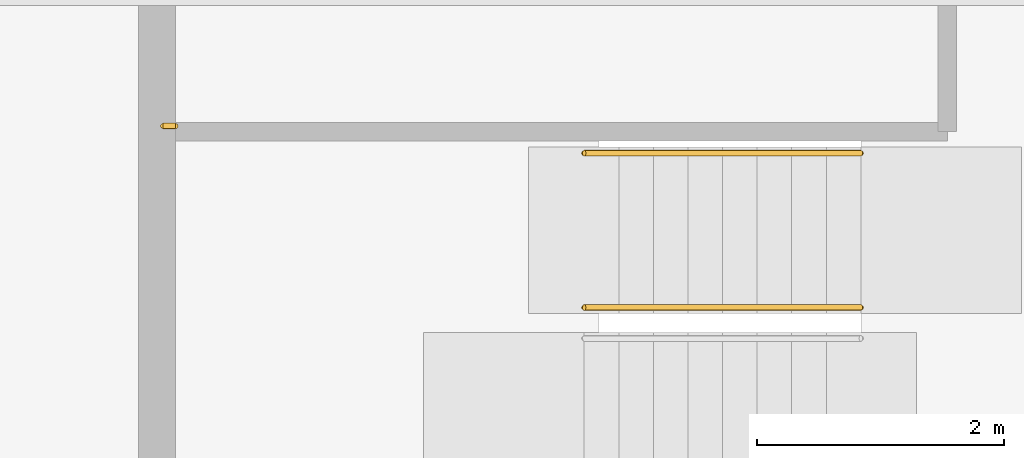
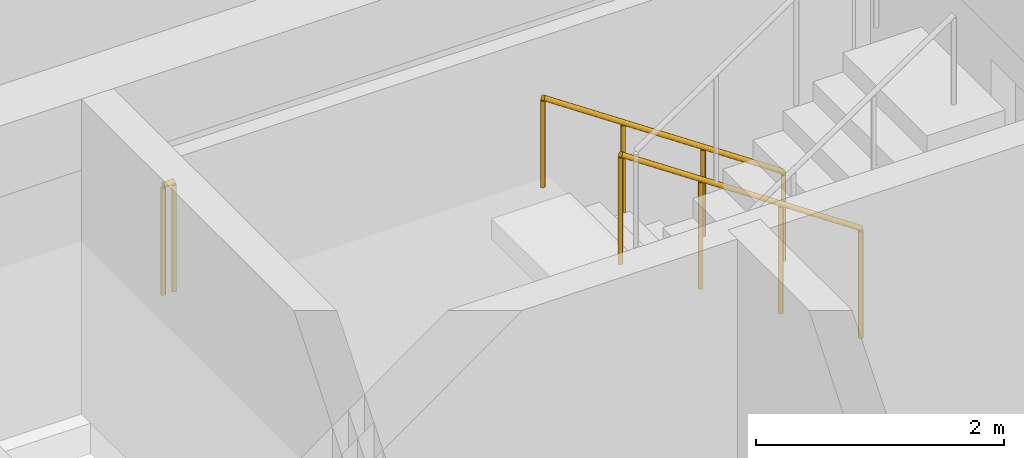
# One storey, part 12 of 13: 3 railings.
"""IFC4 building model written with IfcOpenShell, lengths in metres."""

from ifc_helpers import new_model, si_unit, direction, frame, origin, origin_2d, place, context, subcontext, project, spatial, circle, extrude, material, type_object, element, save


model = new_model("IFC4")

# Units and contexts
model_context = context("Model", 3, precision=1e-05, world=origin(), true_north=direction((0.0, 1.0)))
body_context = subcontext(model_context, "Body", "Model", "MODEL_VIEW")
ifc_project = project(units=[si_unit("LENGTHUNIT", "METRE"), si_unit("AREAUNIT", "SQUARE_METRE"), si_unit("VOLUMEUNIT", "CUBIC_METRE"), si_unit("PLANEANGLEUNIT", "RADIAN"), si_unit("MASSUNIT", "GRAM", prefix="KILO")], contexts=[model_context])

# Site, building, storey
site_placement = place(None, origin())
site = spatial("IfcSite", under=ifc_project, at=site_placement, CompositionType="ELEMENT")
building_placement = place(site_placement, origin())
building = spatial("IfcBuilding", under=site, at=building_placement, Name="Windrow Commons", CompositionType="ELEMENT")
storey_placement = place(building_placement, frame((0.0, 0.0, 223.6)))
storey = spatial("IfcBuildingStorey", under=building, at=storey_placement, Name="L61", CompositionType="ELEMENT", Elevation=223.6)

# Railings
ifc_material_1 = material(Name="Steel S355", Category="steel")
railing_type_1 = type_object("IfcRailingType", Name="Core stair guard 1100", PredefinedType="GUARDRAIL", material=ifc_material_1)
railing_1_placement = place(storey_placement, frame((70.5, 62.355, 0.1889)))
element("IfcRailing", 1, at=railing_1_placement, inside=storey, type_object=railing_type_1, Name="L61 ST-A2 stair guard 1", PredefinedType="GUARDRAIL", context=body_context, shape_type="SweptSolid", body=[
    extrude(circle(Radius=0.024, at=origin_2d()), frame((0.0, 0.0, 1.076), z_axis=(-0.8290030985, 0.0, 0.5592440099), x_axis=(0.0, -1.0, 0.0)), (0.0, 0.0, 1.0), 2.702),
    extrude(circle(Radius=0.021, at=origin_2d()), origin(), (0.0, 0.0, 1.0), 1.052),
    extrude(circle(Radius=0.021, at=origin_2d()), frame((-0.7467, 0.0, 0.5037)), (0.0, 0.0, 1.0), 1.052),
    extrude(circle(Radius=0.021, at=origin_2d()), frame((-1.4933, 0.0, 1.0074)), (0.0, 0.0, 1.0), 1.052),
    extrude(circle(Radius=0.021, at=origin_2d()), frame((-2.24, 0.0, 1.5111)), (0.0, 0.0, 1.0), 1.052),
])
railing_2_placement = place(storey_placement, frame((64.95, 63.825, 1.7)))
element("IfcRailing", 2, at=railing_2_placement, inside=storey, type_object=railing_type_1, Name="L61 ST-A2 stair guard 3", PredefinedType="GUARDRAIL", context=body_context, shape_type="SweptSolid", body=[
    extrude(circle(Radius=0.024, at=origin_2d()), frame((0.0, 0.0, 1.076), z_axis=(-1.0, 0.0, 0.0), x_axis=(0.0, -1.0, 0.0)), (0.0, 0.0, 1.0), 0.1),
    extrude(circle(Radius=0.021, at=origin_2d()), origin(), (0.0, 0.0, 1.0), 1.052),
    extrude(circle(Radius=0.021, at=origin_2d()), frame((-0.1, 0.0, 0.0)), (0.0, 0.0, 1.0), 1.052),
])
ifc_material_2 = material(Name="Steel S355", Category="steel")
railing_type_2 = type_object("IfcRailingType", Name="Core stair handrail 900", PredefinedType="HANDRAIL", material=ifc_material_2)
railing_3_placement = place(storey_placement, frame((70.5, 63.605, 0.1889)))
element("IfcRailing", 3, at=railing_3_placement, inside=storey, type_object=railing_type_2, Name="L61 ST-A2 stair handrail 1", PredefinedType="HANDRAIL", context=body_context, shape_type="SweptSolid", body=[
    extrude(circle(Radius=0.024, at=origin_2d()), frame((0.0, 0.0, 0.876), z_axis=(-0.8290030985, 0.0, 0.5592440099), x_axis=(0.0, -1.0, 0.0)), (0.0, 0.0, 1.0), 2.702),
    extrude(circle(Radius=0.021, at=origin_2d()), origin(), (0.0, 0.0, 1.0), 0.852),
    extrude(circle(Radius=0.021, at=origin_2d()), frame((-0.7467, 0.0, 0.5037)), (0.0, 0.0, 1.0), 0.852),
    extrude(circle(Radius=0.021, at=origin_2d()), frame((-1.4933, 0.0, 1.0074)), (0.0, 0.0, 1.0), 0.852),
    extrude(circle(Radius=0.021, at=origin_2d()), frame((-2.24, 0.0, 1.5111)), (0.0, 0.0, 1.0), 0.852),
])

save(model, "model.ifc")
